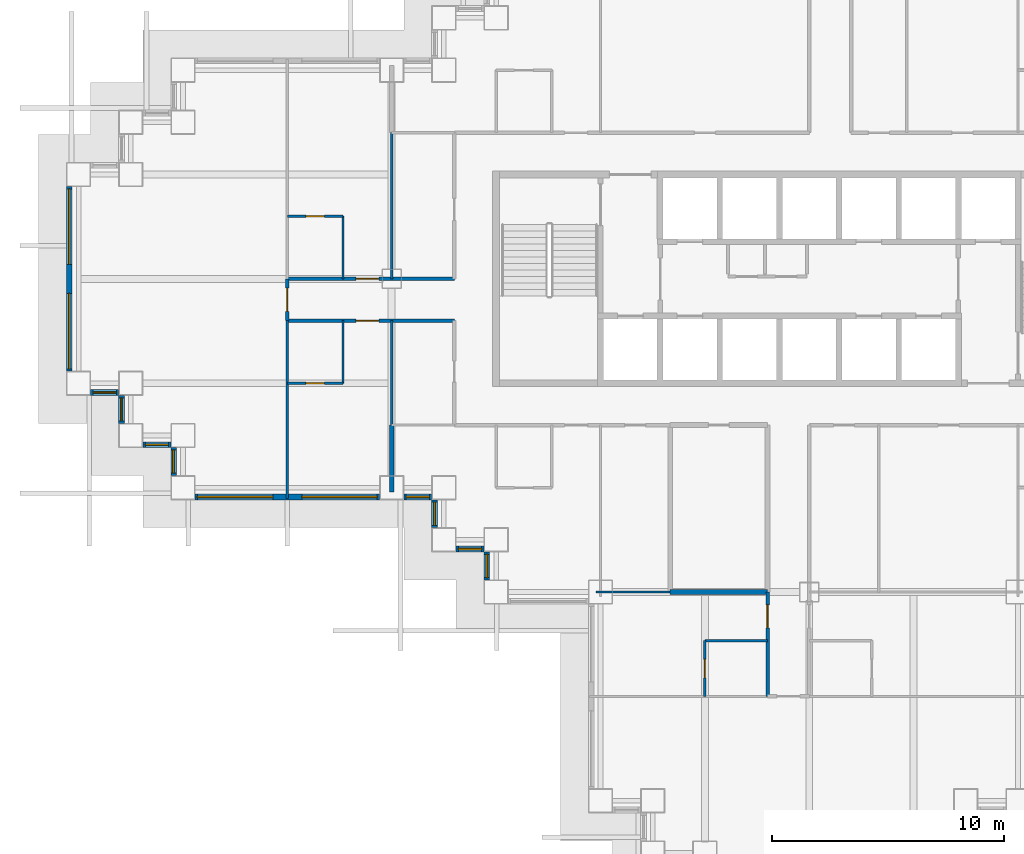
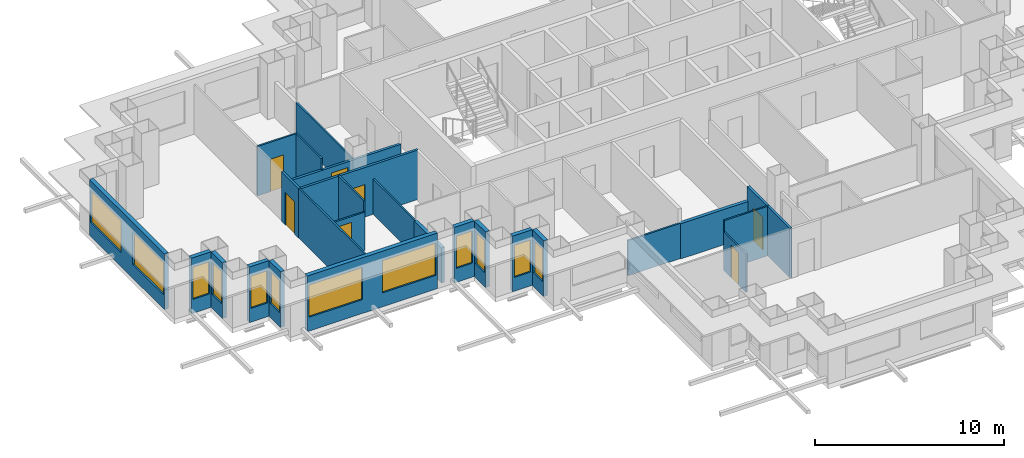
# One storey, part 3 of 15: 26 walls, 12 windows, 7 doors, 19 openings.
"""IFC4 building model written with IfcOpenShell, lengths in metres."""

from ifc_helpers import new_model, si_unit, direction, frame, frame_2d, origin, place, context, subcontext, project, spatial, rectangle, extrude, material, layer, layer_set, type_object, element, fill, save


model = new_model("IFC4")

# Units and contexts
model_context = context("Model", 3, precision=1e-05, world=origin(), true_north=direction((0.0, 1.0)))
body_context = subcontext(model_context, "Body", "Model", "MODEL_VIEW")
ifc_project = project(units=[si_unit("LENGTHUNIT", "METRE"), si_unit("AREAUNIT", "SQUARE_METRE"), si_unit("VOLUMEUNIT", "CUBIC_METRE"), si_unit("PLANEANGLEUNIT", "RADIAN"), si_unit("MASSUNIT", "GRAM", prefix="KILO")], contexts=[model_context])

# Site, building, storey
site_placement = place(None, origin())
site = spatial("IfcSite", under=ifc_project, at=site_placement, CompositionType="ELEMENT")
building_placement = place(site_placement, origin())
building = spatial("IfcBuilding", under=site, at=building_placement, Name="Caravel Reach Hotel and Residences", CompositionType="ELEMENT")
storey_placement = place(building_placement, frame((0.0, 0.0, 44.39990234375)))
storey = spatial("IfcBuildingStorey", under=building, at=storey_placement, Name="L09", CompositionType="ELEMENT", Elevation=44.39990234375)

# Wall
ifc_material_1 = material(Name="Gypsum board on steel stud", Category="steel")
ifc_layer_1 = layer(ifc_material_1, 0.10009765625)
ifc_layer_set_1 = layer_set([ifc_layer_1], Name="Bathroom pod wall 100 mm")
wall_type_1 = type_object("IfcWallType", Name="Bathroom pod wall 100 mm", PredefinedType="PARTITIONING", material=ifc_layer_set_1)
wall_1_placement = place(storey_placement, frame((27.0, 11.39990234375, 0.0), z_axis=(0.0, 0.0, 1.0), x_axis=(1.0, 0.0, 0.0)))
element("IfcWall", 1, at=wall_1_placement, inside=storey, type_object=wall_type_1, Name="L09 wall w075", PredefinedType="PARTITIONING", context=body_context, shape_type="SweptSolid", body=[
    extrude(rectangle(XDim=2.699951171875, YDim=0.10009765625, at=frame_2d((1.35009765625, 0.0))), origin(), (0.0, 0.0, 1.0), 3.2001953125),
])

# Wall, opening, door
wall_2_placement = place(storey_placement, frame((9.0, 22.5, 0.0), z_axis=(0.0, 0.0, 1.0), x_axis=(1.0, 0.0, 0.0)))
wall_2 = element("IfcWall", 2, at=wall_2_placement, inside=storey, type_object=wall_type_1, Name="L09 wall w078", PredefinedType="PARTITIONING", context=body_context, shape_type="SweptSolid", body=[
    extrude(rectangle(XDim=2.39990234375, YDim=0.10009765625, at=frame_2d((1.199951171875, 0.0))), origin(), (0.0, 0.0, 1.0), 2.47998046875),
])
opening_1_placement = place(wall_2_placement, frame((0.800048828125, 0.0, 0.0)))
opening_1 = element("IfcOpeningElement", 3, at=opening_1_placement, cuts=wall_2, Name="Opening D09-017", PredefinedType="OPENING", context=body_context, shape_type="SweptSolid", body=[
    extrude(rectangle(XDim=0.800048828125, YDim=2.10009765625, at=frame_2d((0.39990234375, 1.050048828125))), frame((0.0, 0.06005859375, 0.0), z_axis=(0.0, -1.0, 0.0), x_axis=(1.0, 0.0, 0.0)), (0.0, 0.0, 1.0), 0.1201171875),
])
ifc_material_2 = material(Name="Timber and steel door leaf", Category="steel")
door_type_1 = type_object("IfcDoorType", Name="Bathroom door 800 x 2100", OperationType="SINGLE_SWING_LEFT", PredefinedType="DOOR", material=ifc_material_2)
door_1_placement = place(opening_1_placement, origin())
door_1 = element("IfcDoor", 4, at=door_1_placement, inside=storey, type_object=door_type_1, Name="door D09-017", OperationType="SINGLE_SWING_RIGHT", OverallHeight=2.10009765625, OverallWidth=0.800048828125, PredefinedType="DOOR", context=body_context, shape_type="SweptSolid", body=[
    extrude(rectangle(XDim=0.800048828125, YDim=2.10009765625, at=frame_2d((0.39990234375, 1.050048828125))), frame((0.0, 0.02490234375, 0.0), z_axis=(0.0, -1.0, 0.0), x_axis=(1.0, 0.0, 0.0)), (0.0, 0.0, 1.0), 0.050048828125),
])
fill(opening_1, door_1)

wall_3_placement = place(storey_placement, frame((9.0, 29.699951171875, 0.0), z_axis=(0.0, 0.0, 1.0), x_axis=(1.0, 0.0, 0.0)))
wall_3 = element("IfcWall", 5, at=wall_3_placement, inside=storey, type_object=wall_type_1, Name="L09 wall w083", PredefinedType="PARTITIONING", context=body_context, shape_type="SweptSolid", body=[
    extrude(rectangle(XDim=2.39990234375, YDim=0.10009765625, at=frame_2d((1.199951171875, 0.0))), origin(), (0.0, 0.0, 1.0), 3.2001953125),
])
opening_2_placement = place(wall_3_placement, frame((0.800048828125, 0.0, 0.0)))
opening_2 = element("IfcOpeningElement", 6, at=opening_2_placement, cuts=wall_3, Name="Opening D09-019", PredefinedType="OPENING", context=body_context, shape_type="SweptSolid", body=[
    extrude(rectangle(XDim=0.800048828125, YDim=2.10009765625, at=frame_2d((0.39990234375, 1.050048828125))), frame((0.0, 0.06005859375, 0.0), z_axis=(0.0, -1.0, 0.0), x_axis=(1.0, 0.0, 0.0)), (0.0, 0.0, 1.0), 0.1201171875),
])
door_2_placement = place(opening_2_placement, origin())
door_2 = element("IfcDoor", 7, at=door_2_placement, inside=storey, type_object=door_type_1, Name="door D09-019", OperationType="SINGLE_SWING_RIGHT", OverallHeight=2.10009765625, OverallWidth=0.800048828125, PredefinedType="DOOR", context=body_context, shape_type="SweptSolid", body=[
    extrude(rectangle(XDim=0.800048828125, YDim=2.10009765625, at=frame_2d((0.39990234375, 1.050048828125))), frame((0.0, 0.02490234375, 0.0), z_axis=(0.0, -1.0, 0.0), x_axis=(1.0, 0.0, 0.0)), (0.0, 0.0, 1.0), 0.050048828125),
])
fill(opening_2, door_2)

# Walls
for number, where, z_axis, x_axis, name in (
    (8, (11.39990234375, 27.0, 0.0), (0.0, 0.0, 1.0), (0.0, 1.0, 0.0), "L09 wall w089"),
    (9, (11.39990234375, 22.5, 0.0), (0.0, 0.0, 1.0), (0.0, 1.0, 0.0), "L09 wall w090"),
):
    element("IfcWall", number, at=place(storey_placement, frame(where, z_axis=z_axis, x_axis=x_axis)), inside=storey, type_object=wall_type_1, Name=name, PredefinedType="PARTITIONING", context=body_context, shape_type="SweptSolid", body=[
        extrude(rectangle(XDim=2.699951171875, YDim=0.10009765625, at=frame_2d((1.35009765625, 0.0))), origin(), (0.0, 0.0, 1.0), 3.2001953125),
    ])

# Wall, opening, door
wall_4_placement = place(storey_placement, frame((27.0, 9.0, 0.0), z_axis=(0.0, 0.0, 1.0), x_axis=(0.0, 1.0, 0.0)))
wall_4 = element("IfcWall", 10, at=wall_4_placement, inside=storey, type_object=wall_type_1, Name="L09 wall w095", PredefinedType="PARTITIONING", context=body_context, shape_type="SweptSolid", body=[
    extrude(rectangle(XDim=2.39990234375, YDim=0.10009765625, at=frame_2d((1.199951171875, 0.0))), origin(), (0.0, 0.0, 1.0), 2.47998046875),
])
opening_3_placement = place(wall_4_placement, frame((0.800048828125, 0.0, 0.0)))
opening_3 = element("IfcOpeningElement", 11, at=opening_3_placement, cuts=wall_4, Name="Opening D09-034", PredefinedType="OPENING", context=body_context, shape_type="SweptSolid", body=[
    extrude(rectangle(XDim=0.800048828125, YDim=2.10009765625, at=frame_2d((0.39990234375, 1.050048828125))), frame((0.0, 0.06005859375, 0.0), z_axis=(0.0, -1.0, 0.0), x_axis=(1.0, 0.0, 0.0)), (0.0, 0.0, 1.0), 0.1201171875),
])
door_3_placement = place(opening_3_placement, origin())
door_3 = element("IfcDoor", 12, at=door_3_placement, inside=storey, type_object=door_type_1, Name="door D09-034", OperationType="SINGLE_SWING_RIGHT", OverallHeight=2.10009765625, OverallWidth=0.800048828125, PredefinedType="DOOR", context=body_context, shape_type="SweptSolid", body=[
    extrude(rectangle(XDim=0.800048828125, YDim=2.10009765625, at=frame_2d((0.39990234375, 1.050048828125))), frame((0.0, 0.02490234375, 0.0), z_axis=(0.0, -1.0, 0.0), x_axis=(1.0, 0.0, 0.0)), (0.0, 0.0, 1.0), 0.050048828125),
])
fill(opening_3, door_3)

# Wall
ifc_material_3 = material(Name="Autoclaved aerated block wall")
ifc_layer_2 = layer(ifc_material_3, 0.199951171875)
ifc_layer_set_2 = layer_set([ifc_layer_2], Name="Compartment wall 200 mm EI 120")
wall_type_2 = type_object("IfcWallType", Name="Compartment wall 200 mm EI 120", PredefinedType="PARTITIONING", material=ifc_layer_set_2)
wall_5_placement = place(storey_placement, frame((25.5, 13.5, 0.0), z_axis=(0.0, 0.0, 1.0), x_axis=(1.0, 0.0, 0.0)))
element("IfcWall", 13, at=wall_5_placement, inside=storey, type_object=wall_type_2, Name="L09 wall w105", PredefinedType="PARTITIONING", context=body_context, shape_type="SweptSolid", body=[
    extrude(rectangle(XDim=4.199951171875, YDim=0.199951171875, at=frame_2d((2.10009765625, 0.0))), origin(), (0.0, 0.0, 1.0), 2.280029296875),
])

# Wall, opening, door
ifc_material_4 = material(Name="Gypsum board on steel stud, fire-rated", Category="steel")
ifc_layer_3 = layer(ifc_material_4, 0.14990234375)
ifc_layer_set_3 = layer_set([ifc_layer_3], Name="Corridor wall 150 mm EI 60")
wall_type_3 = type_object("IfcWallType", Name="Corridor wall 150 mm EI 60", PredefinedType="PARTITIONING", material=ifc_layer_set_3)
wall_6_placement = place(storey_placement, frame((9.0, 25.199951171875, 0.0), z_axis=(0.0, 0.0, 1.0), x_axis=(1.0, 0.0, 0.0)))
wall_6 = element("IfcWall", 14, at=wall_6_placement, inside=storey, type_object=wall_type_3, Name="L09 wall w006", PredefinedType="PARTITIONING", context=body_context, shape_type="SweptSolid", body=[
    extrude(rectangle(XDim=7.199951171875, YDim=0.14990234375, at=frame_2d((3.60009765625, 0.0))), origin(), (0.0, 0.0, 1.0), 3.2001953125),
])
opening_4_placement = place(wall_6_placement, frame((2.949951171875, 0.0, 0.0)))
opening_4 = element("IfcOpeningElement", 15, at=opening_4_placement, cuts=wall_6, Name="Opening D09-016", PredefinedType="OPENING", context=body_context, shape_type="SweptSolid", body=[
    extrude(rectangle(XDim=1.0, YDim=2.10009765625, at=frame_2d((0.5, 1.050048828125))), frame((0.0, 0.0849609375, 0.0), z_axis=(0.0, -1.0, 0.0), x_axis=(1.0, 0.0, 0.0)), (0.0, 0.0, 1.0), 0.169921875),
])
ifc_material_5 = material(Name="Steel fire door leaf", Category="steel")
door_type_2 = type_object("IfcDoorType", Name="Guest room door 1000 x 2100 EI 30", OperationType="SINGLE_SWING_LEFT", PredefinedType="DOOR", material=ifc_material_5)
door_4_placement = place(opening_4_placement, origin())
door_4 = element("IfcDoor", 16, at=door_4_placement, inside=storey, type_object=door_type_2, Name="door D09-016", OperationType="SINGLE_SWING_RIGHT", OverallHeight=2.10009765625, OverallWidth=1.0, PredefinedType="DOOR", context=body_context, shape_type="SweptSolid", body=[
    extrude(rectangle(XDim=1.0, YDim=2.10009765625, at=frame_2d((0.5, 1.050048828125))), frame((0.0, 0.02490234375, 0.0), z_axis=(0.0, -1.0, 0.0), x_axis=(1.0, 0.0, 0.0)), (0.0, 0.0, 1.0), 0.050048828125),
])
fill(opening_4, door_4)

wall_7_placement = place(storey_placement, frame((9.0, 27.0, 0.0), z_axis=(0.0, 0.0, 1.0), x_axis=(1.0, 0.0, 0.0)))
wall_7 = element("IfcWall", 17, at=wall_7_placement, inside=storey, type_object=wall_type_3, Name="L09 wall w010", PredefinedType="PARTITIONING", context=body_context, shape_type="SweptSolid", body=[
    extrude(rectangle(XDim=7.199951171875, YDim=0.14990234375, at=frame_2d((3.60009765625, 0.0))), origin(), (0.0, 0.0, 1.0), 2.47998046875),
])
opening_5_placement = place(wall_7_placement, frame((2.949951171875, 0.0, 0.0)))
opening_5 = element("IfcOpeningElement", 18, at=opening_5_placement, cuts=wall_7, Name="Opening D09-018", PredefinedType="OPENING", context=body_context, shape_type="SweptSolid", body=[
    extrude(rectangle(XDim=1.0, YDim=2.10009765625, at=frame_2d((0.5, 1.050048828125))), frame((0.0, 0.0849609375, 0.0), z_axis=(0.0, -1.0, 0.0), x_axis=(1.0, 0.0, 0.0)), (0.0, 0.0, 1.0), 0.169921875),
])
door_5_placement = place(opening_5_placement, origin())
door_5 = element("IfcDoor", 19, at=door_5_placement, inside=storey, type_object=door_type_2, Name="door D09-018", OperationType="SINGLE_SWING_RIGHT", OverallHeight=2.10009765625, OverallWidth=1.0, PredefinedType="DOOR", context=body_context, shape_type="SweptSolid", body=[
    extrude(rectangle(XDim=1.0, YDim=2.10009765625, at=frame_2d((0.5, 1.050048828125))), frame((0.0, 0.02490234375, 0.0), z_axis=(0.0, -1.0, 0.0), x_axis=(1.0, 0.0, 0.0)), (0.0, 0.0, 1.0), 0.050048828125),
])
fill(opening_5, door_5)

wall_8_placement = place(storey_placement, frame((29.699951171875, 9.0, 0.0), z_axis=(0.0, 0.0, 1.0), x_axis=(0.0, 1.0, 0.0)))
wall_8 = element("IfcWall", 20, at=wall_8_placement, inside=storey, type_object=wall_type_3, Name="L09 wall w025", PredefinedType="PARTITIONING", context=body_context, shape_type="SweptSolid", body=[
    extrude(rectangle(XDim=4.5, YDim=0.14990234375, at=frame_2d((2.25, 0.0))), origin(), (0.0, 0.0, 1.0), 3.2001953125),
])
opening_6_placement = place(wall_8_placement, frame((2.949951171875, 0.0, 0.0)))
opening_6 = element("IfcOpeningElement", 21, at=opening_6_placement, cuts=wall_8, Name="Opening D09-033", PredefinedType="OPENING", context=body_context, shape_type="SweptSolid", body=[
    extrude(rectangle(XDim=1.0, YDim=2.10009765625, at=frame_2d((0.5, 1.050048828125))), frame((0.0, 0.0849609375, 0.0), z_axis=(0.0, -1.0, 0.0), x_axis=(1.0, 0.0, 0.0)), (0.0, 0.0, 1.0), 0.169921875),
])
door_6_placement = place(opening_6_placement, origin())
door_6 = element("IfcDoor", 22, at=door_6_placement, inside=storey, type_object=door_type_2, Name="door D09-033", OperationType="SINGLE_SWING_RIGHT", OverallHeight=2.10009765625, OverallWidth=1.0, PredefinedType="DOOR", context=body_context, shape_type="SweptSolid", body=[
    extrude(rectangle(XDim=1.0, YDim=2.10009765625, at=frame_2d((0.5, 1.050048828125))), frame((0.0, 0.02490234375, 0.0), z_axis=(0.0, -1.0, 0.0), x_axis=(1.0, 0.0, 0.0)), (0.0, 0.0, 1.0), 0.050048828125),
])
fill(opening_6, door_6)

wall_9_placement = place(storey_placement, frame((9.0, 25.199951171875, 0.0), z_axis=(0.0, 0.0, 1.0), x_axis=(0.0, 1.0, 0.0)))
wall_9 = element("IfcWall", 23, at=wall_9_placement, inside=storey, type_object=wall_type_3, Name="L09 wall w037", PredefinedType="PARTITIONING", context=body_context, shape_type="SweptSolid", body=[
    extrude(rectangle(XDim=1.800048828125, YDim=0.14990234375, at=frame_2d((0.89990234375, 0.0))), origin(), (0.0, 0.0, 1.0), 3.2001953125),
])
opening_7_placement = place(wall_9_placement, frame((0.39990234375, 0.0, 0.0)))
opening_7 = element("IfcOpeningElement", 24, at=opening_7_placement, cuts=wall_9, Name="Opening D09-037", PredefinedType="OPENING", context=body_context, shape_type="SweptSolid", body=[
    extrude(rectangle(XDim=1.0, YDim=2.10009765625, at=frame_2d((0.5, 1.050048828125))), frame((0.0, 0.0849609375, 0.0), z_axis=(0.0, -1.0, 0.0), x_axis=(1.0, 0.0, 0.0)), (0.0, 0.0, 1.0), 0.169921875),
])
door_7_placement = place(opening_7_placement, origin())
door_7 = element("IfcDoor", 25, at=door_7_placement, inside=storey, type_object=door_type_2, Name="door D09-037", OperationType="SINGLE_SWING_LEFT", OverallHeight=2.10009765625, OverallWidth=1.0, PredefinedType="DOOR", context=body_context, shape_type="SweptSolid", body=[
    extrude(rectangle(XDim=1.0, YDim=2.10009765625, at=frame_2d((0.5, 1.050048828125))), frame((0.0, 0.02490234375, 0.0), z_axis=(0.0, -1.0, 0.0), x_axis=(1.0, 0.0, 0.0)), (0.0, 0.0, 1.0), 0.050048828125),
])
fill(opening_7, door_7)

# Wall, openings, windows
ifc_material_6 = material(Name="Insulated rainscreen wall, aluminium cladding", Category="aluminium")
ifc_layer_4 = layer(ifc_material_6, 0.25)
ifc_layer_set_4 = layer_set([ifc_layer_4], Name="EW1 Tower rainscreen wall")
wall_type_4 = type_object("IfcWallType", Name="EW1 Tower rainscreen wall", PredefinedType="SOLIDWALL", material=ifc_layer_set_4)
wall_10_placement = place(storey_placement, frame((-0.39990234375, 30.97509765625, 0.0), z_axis=(0.0, 0.0, 1.0), x_axis=(0.0, -1.0, 0.0)))
wall_10 = element("IfcWall", 26, at=wall_10_placement, inside=storey, type_object=wall_type_4, Name="External wall L09 W50.1", PredefinedType="SOLIDWALL", context=body_context, shape_type="SweptSolid", body=[
    extrude(rectangle(XDim=7.9501953125, YDim=0.25, at=frame_2d((3.97509765625, 0.0))), origin(), (0.0, 0.0, 1.0), 3.60009765625),
])
opening_8_placement = place(wall_10_placement, frame((0.10009765625, 0.0, 0.89990234375)))
opening_8 = element("IfcOpeningElement", 27, at=opening_8_placement, cuts=wall_10, Name="Opening WN2", PredefinedType="OPENING", context=body_context, shape_type="SweptSolid", body=[
    extrude(rectangle(XDim=3.25, YDim=2.080078125, at=frame_2d((1.625, 1.0400390625))), frame((0.0, 0.135009765625, 0.0), z_axis=(0.0, -1.0, 0.0), x_axis=(1.0, 0.0, 0.0)), (0.0, 0.0, 1.0), 0.27001953125),
])
opening_9_placement = place(wall_10_placement, frame((4.60009765625, 0.0, 0.89990234375)))
opening_9 = element("IfcOpeningElement", 28, at=opening_9_placement, cuts=wall_10, Name="Opening WN2", PredefinedType="OPENING", context=body_context, shape_type="SweptSolid", body=[
    extrude(rectangle(XDim=3.25, YDim=2.080078125, at=frame_2d((1.625, 1.0400390625))), frame((0.0, 0.135009765625, 0.0), z_axis=(0.0, -1.0, 0.0), x_axis=(1.0, 0.0, 0.0)), (0.0, 0.0, 1.0), 0.27001953125),
])
ifc_material_7 = material(Name="Dark low-e glazing in black aluminium frame", Category="aluminium")
window_type_1 = type_object("IfcWindowType", Name="Hotel guest room window 3250 x 2080", PartitioningType="SINGLE_PANEL", PredefinedType="WINDOW", material=ifc_material_7)
window_1_placement = place(opening_8_placement, origin())
window_1 = element("IfcWindow", 29, at=window_1_placement, inside=storey, type_object=window_type_1, Name="Window L09 W50.1.1", OverallHeight=2.080078125, OverallWidth=3.25, PartitioningType="SINGLE_PANEL", PredefinedType="WINDOW", context=body_context, shape_type="SweptSolid", body=[
    extrude(rectangle(XDim=3.25, YDim=2.080078125, at=frame_2d((1.625, 1.0400390625))), frame((0.0, 0.030029296875, 0.0), z_axis=(0.0, -1.0, 0.0), x_axis=(1.0, 0.0, 0.0)), (0.0, 0.0, 1.0), 0.06005859375),
])
fill(opening_8, window_1)
window_2_placement = place(opening_9_placement, origin())
window_2 = element("IfcWindow", 30, at=window_2_placement, inside=storey, type_object=window_type_1, Name="Window L09 W50.1.2", OverallHeight=2.080078125, OverallWidth=3.25, PartitioningType="SINGLE_PANEL", PredefinedType="WINDOW", context=body_context, shape_type="SweptSolid", body=[
    extrude(rectangle(XDim=3.25, YDim=2.080078125, at=frame_2d((1.625, 1.0400390625))), frame((0.0, 0.030029296875, 0.0), z_axis=(0.0, -1.0, 0.0), x_axis=(1.0, 0.0, 0.0)), (0.0, 0.0, 1.0), 0.06005859375),
])
fill(opening_9, window_2)

# Wall, opening, window
wall_11_placement = place(storey_placement, frame((0.52490234375, 22.10009765625, 0.0), z_axis=(0.0, 0.0, 1.0), x_axis=(1.0, 0.0, 0.0)))
wall_11 = element("IfcWall", 31, at=wall_11_placement, inside=storey, type_object=wall_type_4, Name="External wall L09 S51.1", PredefinedType="SOLIDWALL", context=body_context, shape_type="SweptSolid", body=[
    extrude(rectangle(XDim=1.2001953125, YDim=0.25, at=frame_2d((0.60009765625, 0.0))), origin(), (0.0, 0.0, 1.0), 3.60009765625),
])
opening_10_placement = place(wall_11_placement, frame((0.10009765625, 0.0, 0.89990234375)))
opening_10 = element("IfcOpeningElement", 32, at=opening_10_placement, cuts=wall_11, Name="Opening WN1", PredefinedType="OPENING", context=body_context, shape_type="SweptSolid", body=[
    extrude(rectangle(XDim=1.0, YDim=2.080078125, at=frame_2d((0.5, 1.0400390625))), frame((0.0, 0.135009765625, 0.0), z_axis=(0.0, -1.0, 0.0), x_axis=(1.0, 0.0, 0.0)), (0.0, 0.0, 1.0), 0.27001953125),
])
ifc_material_8 = material(Name="Dark low-e glazing in black aluminium frame", Category="aluminium")
window_type_2 = type_object("IfcWindowType", Name="Hotel suite corner window 1000 x 2080", PartitioningType="SINGLE_PANEL", PredefinedType="WINDOW", material=ifc_material_8)
window_3_placement = place(opening_10_placement, origin())
window_3 = element("IfcWindow", 33, at=window_3_placement, inside=storey, type_object=window_type_2, Name="Window L09 S51.1.1", OverallHeight=2.080078125, OverallWidth=1.0, PartitioningType="SINGLE_PANEL", PredefinedType="WINDOW", context=body_context, shape_type="SweptSolid", body=[
    extrude(rectangle(XDim=1.0, YDim=2.080078125, at=frame_2d((0.5, 1.0400390625))), frame((0.0, 0.030029296875, 0.0), z_axis=(0.0, -1.0, 0.0), x_axis=(1.0, 0.0, 0.0)), (0.0, 0.0, 1.0), 0.06005859375),
])
fill(opening_10, window_3)

wall_12_placement = place(storey_placement, frame((1.85009765625, 21.97509765625, 0.0), z_axis=(0.0, 0.0, 1.0), x_axis=(0.0, -1.0, 0.0)))
wall_12 = element("IfcWall", 34, at=wall_12_placement, inside=storey, type_object=wall_type_4, Name="External wall L09 W52.1", PredefinedType="SOLIDWALL", context=body_context, shape_type="SweptSolid", body=[
    extrude(rectangle(XDim=1.2001953125, YDim=0.25, at=frame_2d((0.60009765625, 0.0))), origin(), (0.0, 0.0, 1.0), 3.60009765625),
])
opening_11_placement = place(wall_12_placement, frame((0.10009765625, 0.0, 0.89990234375)))
opening_11 = element("IfcOpeningElement", 35, at=opening_11_placement, cuts=wall_12, Name="Opening WN1", PredefinedType="OPENING", context=body_context, shape_type="SweptSolid", body=[
    extrude(rectangle(XDim=1.0, YDim=2.080078125, at=frame_2d((0.5, 1.0400390625))), frame((0.0, 0.135009765625, 0.0), z_axis=(0.0, -1.0, 0.0), x_axis=(1.0, 0.0, 0.0)), (0.0, 0.0, 1.0), 0.27001953125),
])
window_4_placement = place(opening_11_placement, origin())
window_4 = element("IfcWindow", 36, at=window_4_placement, inside=storey, type_object=window_type_2, Name="Window L09 W52.1.1", OverallHeight=2.080078125, OverallWidth=1.0, PartitioningType="SINGLE_PANEL", PredefinedType="WINDOW", context=body_context, shape_type="SweptSolid", body=[
    extrude(rectangle(XDim=1.0, YDim=2.080078125, at=frame_2d((0.5, 1.0400390625))), frame((0.0, 0.030029296875, 0.0), z_axis=(0.0, -1.0, 0.0), x_axis=(1.0, 0.0, 0.0)), (0.0, 0.0, 1.0), 0.06005859375),
])
fill(opening_11, window_4)

wall_13_placement = place(storey_placement, frame((2.77490234375, 19.85009765625, 0.0), z_axis=(0.0, 0.0, 1.0), x_axis=(1.0, 0.0, 0.0)))
wall_13 = element("IfcWall", 37, at=wall_13_placement, inside=storey, type_object=wall_type_4, Name="External wall L09 S53.1", PredefinedType="SOLIDWALL", context=body_context, shape_type="SweptSolid", body=[
    extrude(rectangle(XDim=1.2001953125, YDim=0.25, at=frame_2d((0.60009765625, 0.0))), origin(), (0.0, 0.0, 1.0), 3.60009765625),
])
opening_12_placement = place(wall_13_placement, frame((0.10009765625, 0.0, 0.89990234375)))
opening_12 = element("IfcOpeningElement", 38, at=opening_12_placement, cuts=wall_13, Name="Opening WN1", PredefinedType="OPENING", context=body_context, shape_type="SweptSolid", body=[
    extrude(rectangle(XDim=1.0, YDim=2.080078125, at=frame_2d((0.5, 1.0400390625))), frame((0.0, 0.135009765625, 0.0), z_axis=(0.0, -1.0, 0.0), x_axis=(1.0, 0.0, 0.0)), (0.0, 0.0, 1.0), 0.27001953125),
])
window_5_placement = place(opening_12_placement, origin())
window_5 = element("IfcWindow", 39, at=window_5_placement, inside=storey, type_object=window_type_2, Name="Window L09 S53.1.1", OverallHeight=2.080078125, OverallWidth=1.0, PartitioningType="SINGLE_PANEL", PredefinedType="WINDOW", context=body_context, shape_type="SweptSolid", body=[
    extrude(rectangle(XDim=1.0, YDim=2.080078125, at=frame_2d((0.5, 1.0400390625))), frame((0.0, 0.030029296875, 0.0), z_axis=(0.0, -1.0, 0.0), x_axis=(1.0, 0.0, 0.0)), (0.0, 0.0, 1.0), 0.06005859375),
])
fill(opening_12, window_5)

wall_14_placement = place(storey_placement, frame((4.10009765625, 19.72509765625, 0.0), z_axis=(0.0, 0.0, 1.0), x_axis=(0.0, -1.0, 0.0)))
wall_14 = element("IfcWall", 40, at=wall_14_placement, inside=storey, type_object=wall_type_4, Name="External wall L09 W54.1", PredefinedType="SOLIDWALL", context=body_context, shape_type="SweptSolid", body=[
    extrude(rectangle(XDim=1.2001953125, YDim=0.25, at=frame_2d((0.60009765625, 0.0))), origin(), (0.0, 0.0, 1.0), 3.60009765625),
])
opening_13_placement = place(wall_14_placement, frame((0.10009765625, 0.0, 0.89990234375)))
opening_13 = element("IfcOpeningElement", 41, at=opening_13_placement, cuts=wall_14, Name="Opening WN1", PredefinedType="OPENING", context=body_context, shape_type="SweptSolid", body=[
    extrude(rectangle(XDim=1.0, YDim=2.080078125, at=frame_2d((0.5, 1.0400390625))), frame((0.0, 0.135009765625, 0.0), z_axis=(0.0, -1.0, 0.0), x_axis=(1.0, 0.0, 0.0)), (0.0, 0.0, 1.0), 0.27001953125),
])
window_6_placement = place(opening_13_placement, origin())
window_6 = element("IfcWindow", 42, at=window_6_placement, inside=storey, type_object=window_type_2, Name="Window L09 W54.1.1", OverallHeight=2.080078125, OverallWidth=1.0, PartitioningType="SINGLE_PANEL", PredefinedType="WINDOW", context=body_context, shape_type="SweptSolid", body=[
    extrude(rectangle(XDim=1.0, YDim=2.080078125, at=frame_2d((0.5, 1.0400390625))), frame((0.0, 0.030029296875, 0.0), z_axis=(0.0, -1.0, 0.0), x_axis=(1.0, 0.0, 0.0)), (0.0, 0.0, 1.0), 0.06005859375),
])
fill(opening_13, window_6)

# Wall, openings, windows
wall_15_placement = place(storey_placement, frame((5.02490234375, 17.60009765625, 0.0), z_axis=(0.0, 0.0, 1.0), x_axis=(1.0, 0.0, 0.0)))
wall_15 = element("IfcWall", 43, at=wall_15_placement, inside=storey, type_object=wall_type_4, Name="External wall L09 S55.1", PredefinedType="SOLIDWALL", context=body_context, shape_type="SweptSolid", body=[
    extrude(rectangle(XDim=7.9501953125, YDim=0.25, at=frame_2d((3.97509765625, 0.0))), origin(), (0.0, 0.0, 1.0), 3.60009765625),
])
opening_14_placement = place(wall_15_placement, frame((0.10009765625, 0.0, 0.89990234375)))
opening_14 = element("IfcOpeningElement", 44, at=opening_14_placement, cuts=wall_15, Name="Opening WN2", PredefinedType="OPENING", context=body_context, shape_type="SweptSolid", body=[
    extrude(rectangle(XDim=3.25, YDim=2.080078125, at=frame_2d((1.625, 1.0400390625))), frame((0.0, 0.135009765625, 0.0), z_axis=(0.0, -1.0, 0.0), x_axis=(1.0, 0.0, 0.0)), (0.0, 0.0, 1.0), 0.27001953125),
])
opening_15_placement = place(wall_15_placement, frame((4.60009765625, 0.0, 0.89990234375)))
opening_15 = element("IfcOpeningElement", 45, at=opening_15_placement, cuts=wall_15, Name="Opening WN2", PredefinedType="OPENING", context=body_context, shape_type="SweptSolid", body=[
    extrude(rectangle(XDim=3.25, YDim=2.080078125, at=frame_2d((1.625, 1.0400390625))), frame((0.0, 0.135009765625, 0.0), z_axis=(0.0, -1.0, 0.0), x_axis=(1.0, 0.0, 0.0)), (0.0, 0.0, 1.0), 0.27001953125),
])
window_7_placement = place(opening_14_placement, origin())
window_7 = element("IfcWindow", 46, at=window_7_placement, inside=storey, type_object=window_type_1, Name="Window L09 S55.1.1", OverallHeight=2.080078125, OverallWidth=3.25, PartitioningType="SINGLE_PANEL", PredefinedType="WINDOW", context=body_context, shape_type="SweptSolid", body=[
    extrude(rectangle(XDim=3.25, YDim=2.080078125, at=frame_2d((1.625, 1.0400390625))), frame((0.0, 0.030029296875, 0.0), z_axis=(0.0, -1.0, 0.0), x_axis=(1.0, 0.0, 0.0)), (0.0, 0.0, 1.0), 0.06005859375),
])
fill(opening_14, window_7)
window_8_placement = place(opening_15_placement, origin())
window_8 = element("IfcWindow", 47, at=window_8_placement, inside=storey, type_object=window_type_1, Name="Window L09 S55.1.2", OverallHeight=2.080078125, OverallWidth=3.25, PartitioningType="SINGLE_PANEL", PredefinedType="WINDOW", context=body_context, shape_type="SweptSolid", body=[
    extrude(rectangle(XDim=3.25, YDim=2.080078125, at=frame_2d((1.625, 1.0400390625))), frame((0.0, 0.030029296875, 0.0), z_axis=(0.0, -1.0, 0.0), x_axis=(1.0, 0.0, 0.0)), (0.0, 0.0, 1.0), 0.06005859375),
])
fill(opening_15, window_8)

# Wall, opening, window
wall_16_placement = place(storey_placement, frame((14.02490234375, 17.60009765625, 0.0), z_axis=(0.0, 0.0, 1.0), x_axis=(1.0, 0.0, 0.0)))
wall_16 = element("IfcWall", 48, at=wall_16_placement, inside=storey, type_object=wall_type_4, Name="External wall L09 S55.2", PredefinedType="SOLIDWALL", context=body_context, shape_type="SweptSolid", body=[
    extrude(rectangle(XDim=1.2001953125, YDim=0.25, at=frame_2d((0.60009765625, 0.0))), origin(), (0.0, 0.0, 1.0), 3.60009765625),
])
opening_16_placement = place(wall_16_placement, frame((0.10009765625, 0.0, 0.89990234375)))
opening_16 = element("IfcOpeningElement", 49, at=opening_16_placement, cuts=wall_16, Name="Opening WN1", PredefinedType="OPENING", context=body_context, shape_type="SweptSolid", body=[
    extrude(rectangle(XDim=1.0, YDim=2.080078125, at=frame_2d((0.5, 1.0400390625))), frame((0.0, 0.135009765625, 0.0), z_axis=(0.0, -1.0, 0.0), x_axis=(1.0, 0.0, 0.0)), (0.0, 0.0, 1.0), 0.27001953125),
])
window_9_placement = place(opening_16_placement, origin())
window_9 = element("IfcWindow", 50, at=window_9_placement, inside=storey, type_object=window_type_2, Name="Window L09 S55.2.1", OverallHeight=2.080078125, OverallWidth=1.0, PartitioningType="SINGLE_PANEL", PredefinedType="WINDOW", context=body_context, shape_type="SweptSolid", body=[
    extrude(rectangle(XDim=1.0, YDim=2.080078125, at=frame_2d((0.5, 1.0400390625))), frame((0.0, 0.030029296875, 0.0), z_axis=(0.0, -1.0, 0.0), x_axis=(1.0, 0.0, 0.0)), (0.0, 0.0, 1.0), 0.06005859375),
])
fill(opening_16, window_9)

wall_17_placement = place(storey_placement, frame((15.35009765625, 17.47509765625, 0.0), z_axis=(0.0, 0.0, 1.0), x_axis=(0.0, -1.0, 0.0)))
wall_17 = element("IfcWall", 51, at=wall_17_placement, inside=storey, type_object=wall_type_4, Name="External wall L09 W56.1", PredefinedType="SOLIDWALL", context=body_context, shape_type="SweptSolid", body=[
    extrude(rectangle(XDim=1.2001953125, YDim=0.25, at=frame_2d((0.60009765625, 0.0))), origin(), (0.0, 0.0, 1.0), 3.60009765625),
])
opening_17_placement = place(wall_17_placement, frame((0.10009765625, 0.0, 0.89990234375)))
opening_17 = element("IfcOpeningElement", 52, at=opening_17_placement, cuts=wall_17, Name="Opening WN1", PredefinedType="OPENING", context=body_context, shape_type="SweptSolid", body=[
    extrude(rectangle(XDim=1.0, YDim=2.080078125, at=frame_2d((0.5, 1.0400390625))), frame((0.0, 0.135009765625, 0.0), z_axis=(0.0, -1.0, 0.0), x_axis=(1.0, 0.0, 0.0)), (0.0, 0.0, 1.0), 0.27001953125),
])
window_10_placement = place(opening_17_placement, origin())
window_10 = element("IfcWindow", 53, at=window_10_placement, inside=storey, type_object=window_type_2, Name="Window L09 W56.1.1", OverallHeight=2.080078125, OverallWidth=1.0, PartitioningType="SINGLE_PANEL", PredefinedType="WINDOW", context=body_context, shape_type="SweptSolid", body=[
    extrude(rectangle(XDim=1.0, YDim=2.080078125, at=frame_2d((0.5, 1.0400390625))), frame((0.0, 0.030029296875, 0.0), z_axis=(0.0, -1.0, 0.0), x_axis=(1.0, 0.0, 0.0)), (0.0, 0.0, 1.0), 0.06005859375),
])
fill(opening_17, window_10)

wall_18_placement = place(storey_placement, frame((16.27490234375, 15.35009765625, 0.0), z_axis=(0.0, 0.0, 1.0), x_axis=(1.0, 0.0, 0.0)))
wall_18 = element("IfcWall", 54, at=wall_18_placement, inside=storey, type_object=wall_type_4, Name="External wall L09 S57.1", PredefinedType="SOLIDWALL", context=body_context, shape_type="SweptSolid", body=[
    extrude(rectangle(XDim=1.2001953125, YDim=0.25, at=frame_2d((0.60009765625, 0.0))), origin(), (0.0, 0.0, 1.0), 3.60009765625),
])
opening_18_placement = place(wall_18_placement, frame((0.10009765625, 0.0, 0.89990234375)))
opening_18 = element("IfcOpeningElement", 55, at=opening_18_placement, cuts=wall_18, Name="Opening WN1", PredefinedType="OPENING", context=body_context, shape_type="SweptSolid", body=[
    extrude(rectangle(XDim=1.0, YDim=2.080078125, at=frame_2d((0.5, 1.0400390625))), frame((0.0, 0.135009765625, 0.0), z_axis=(0.0, -1.0, 0.0), x_axis=(1.0, 0.0, 0.0)), (0.0, 0.0, 1.0), 0.27001953125),
])
window_11_placement = place(opening_18_placement, origin())
window_11 = element("IfcWindow", 56, at=window_11_placement, inside=storey, type_object=window_type_2, Name="Window L09 S57.1.1", OverallHeight=2.080078125, OverallWidth=1.0, PartitioningType="SINGLE_PANEL", PredefinedType="WINDOW", context=body_context, shape_type="SweptSolid", body=[
    extrude(rectangle(XDim=1.0, YDim=2.080078125, at=frame_2d((0.5, 1.0400390625))), frame((0.0, 0.030029296875, 0.0), z_axis=(0.0, -1.0, 0.0), x_axis=(1.0, 0.0, 0.0)), (0.0, 0.0, 1.0), 0.06005859375),
])
fill(opening_18, window_11)

wall_19_placement = place(storey_placement, frame((17.60009765625, 15.22509765625, 0.0), z_axis=(0.0, 0.0, 1.0), x_axis=(0.0, -1.0, 0.0)))
wall_19 = element("IfcWall", 57, at=wall_19_placement, inside=storey, type_object=wall_type_4, Name="External wall L09 W58.1", PredefinedType="SOLIDWALL", context=body_context, shape_type="SweptSolid", body=[
    extrude(rectangle(XDim=1.2001953125, YDim=0.25, at=frame_2d((0.60009765625, 0.0))), origin(), (0.0, 0.0, 1.0), 3.60009765625),
])
opening_19_placement = place(wall_19_placement, frame((0.10009765625, 0.0, 0.89990234375)))
opening_19 = element("IfcOpeningElement", 58, at=opening_19_placement, cuts=wall_19, Name="Opening WN1", PredefinedType="OPENING", context=body_context, shape_type="SweptSolid", body=[
    extrude(rectangle(XDim=1.0, YDim=2.080078125, at=frame_2d((0.5, 1.0400390625))), frame((0.0, 0.135009765625, 0.0), z_axis=(0.0, -1.0, 0.0), x_axis=(1.0, 0.0, 0.0)), (0.0, 0.0, 1.0), 0.27001953125),
])
window_12_placement = place(opening_19_placement, origin())
window_12 = element("IfcWindow", 59, at=window_12_placement, inside=storey, type_object=window_type_2, Name="Window L09 W58.1.1", OverallHeight=2.080078125, OverallWidth=1.0, PartitioningType="SINGLE_PANEL", PredefinedType="WINDOW", context=body_context, shape_type="SweptSolid", body=[
    extrude(rectangle(XDim=1.0, YDim=2.080078125, at=frame_2d((0.5, 1.0400390625))), frame((0.0, 0.030029296875, 0.0), z_axis=(0.0, -1.0, 0.0), x_axis=(1.0, 0.0, 0.0)), (0.0, 0.0, 1.0), 0.06005859375),
])
fill(opening_19, window_12)

# Walls
ifc_material_9 = material(Name="Gypsum board on steel stud", Category="steel")
ifc_layer_5 = layer(ifc_material_9, 0.10009765625)
ifc_layer_set_5 = layer_set([ifc_layer_5], Name="Partition 100 mm")
wall_type_5 = type_object("IfcWallType", Name="Partition 100 mm", PredefinedType="PARTITIONING", material=ifc_layer_set_5)
wall_20_placement = place(storey_placement, frame((22.31005859375, 13.5, 0.0), z_axis=(0.0, 0.0, 1.0), x_axis=(1.0, 0.0, 0.0)))
element("IfcWall", 60, at=wall_20_placement, inside=storey, type_object=wall_type_5, Name="L09 wall w040", PredefinedType="PARTITIONING", context=body_context, shape_type="SweptSolid", body=[
    extrude(rectangle(XDim=3.18994140625, YDim=0.10009765625, at=frame_2d((1.594970703125, 0.0))), origin(), (0.0, 0.0, 1.0), 2.280029296875),
])
wall_21_placement = place(storey_placement, frame((13.5, 27.0, 0.0), z_axis=(0.0, 0.0, 1.0), x_axis=(0.0, 1.0, 0.0)))
element("IfcWall", 61, at=wall_21_placement, inside=storey, type_object=wall_type_5, Name="L09 wall w054", PredefinedType="PARTITIONING", context=body_context, shape_type="SweptSolid", body=[
    extrude(rectangle(XDim=6.300048828125, YDim=0.10009765625, at=frame_2d((3.14990234375, 0.0))), origin(), (0.0, 0.0, 1.0), 2.280029296875),
])
wall_22_placement = place(storey_placement, frame((13.5, 20.699951171875, 0.0), z_axis=(0.0, 0.0, 1.0), x_axis=(0.0, 1.0, 0.0)))
element("IfcWall", 62, at=wall_22_placement, inside=storey, type_object=wall_type_5, Name="L09 wall w055", PredefinedType="PARTITIONING", context=body_context, shape_type="SweptSolid", body=[
    extrude(rectangle(XDim=4.5, YDim=0.10009765625, at=frame_2d((2.25, 0.0))), origin(), (0.0, 0.0, 1.0), 2.280029296875),
])
wall_23_placement = place(storey_placement, frame((9.0, 17.534912109375, 0.0), z_axis=(0.0, 0.0, 1.0), x_axis=(0.0, 1.0, 0.0)))
element("IfcWall", 63, at=wall_23_placement, inside=storey, type_object=wall_type_5, Name="L09 wall w066", PredefinedType="PARTITIONING", context=body_context, shape_type="SweptSolid", body=[
    extrude(rectangle(XDim=7.6650390625, YDim=0.10009765625, at=frame_2d((3.83251953125, 0.0))), origin(), (0.0, 0.0, 1.0), 3.2001953125),
])
ifc_material_10 = material(Name="Autoclaved aerated block wall")
ifc_layer_6 = layer(ifc_material_10, 0.199951171875)
ifc_layer_set_6 = layer_set([ifc_layer_6], Name="Party wall 200 mm EI 60")
wall_type_6 = type_object("IfcWallType", Name="Party wall 200 mm EI 60", PredefinedType="PARTITIONING", material=ifc_layer_set_6)
wall_24_placement = place(storey_placement, frame((13.5, 17.81005859375, 0.0), z_axis=(0.0, 0.0, 1.0), x_axis=(0.0, 1.0, 0.0)))
element("IfcWall", 64, at=wall_24_placement, inside=storey, type_object=wall_type_6, Name="L09 wall w068", PredefinedType="PARTITIONING", context=body_context, shape_type="SweptSolid", body=[
    extrude(rectangle(XDim=2.889892578125, YDim=0.199951171875, at=frame_2d((1.44482421875, 0.0))), origin(), (0.0, 0.0, 1.0), 2.280029296875),
])

save(model, "model.ifc")
